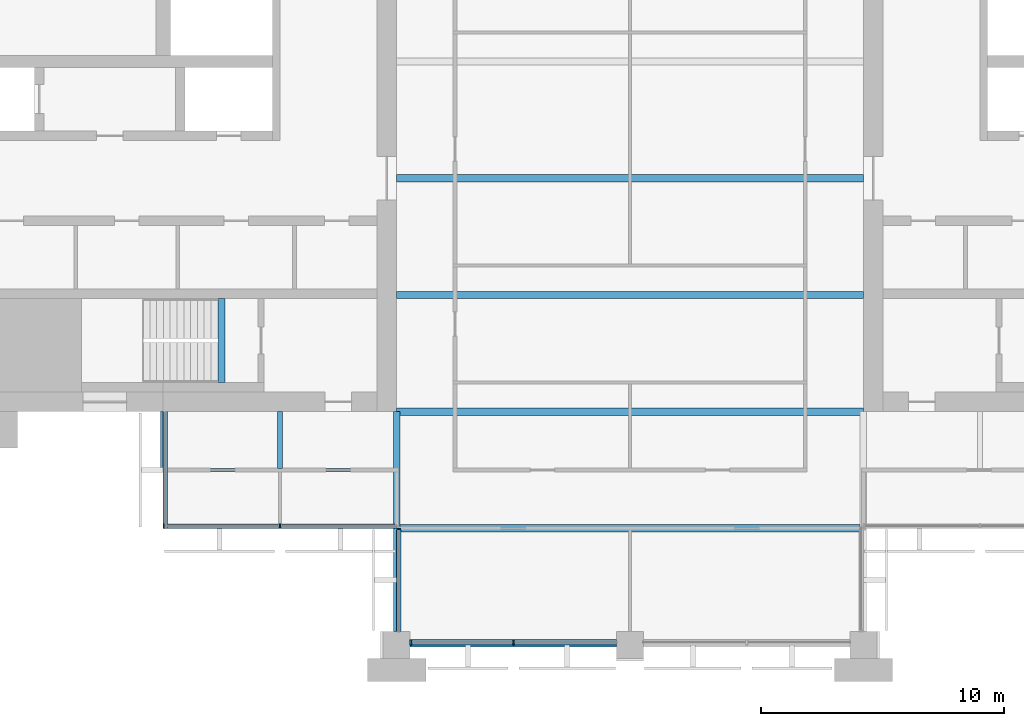
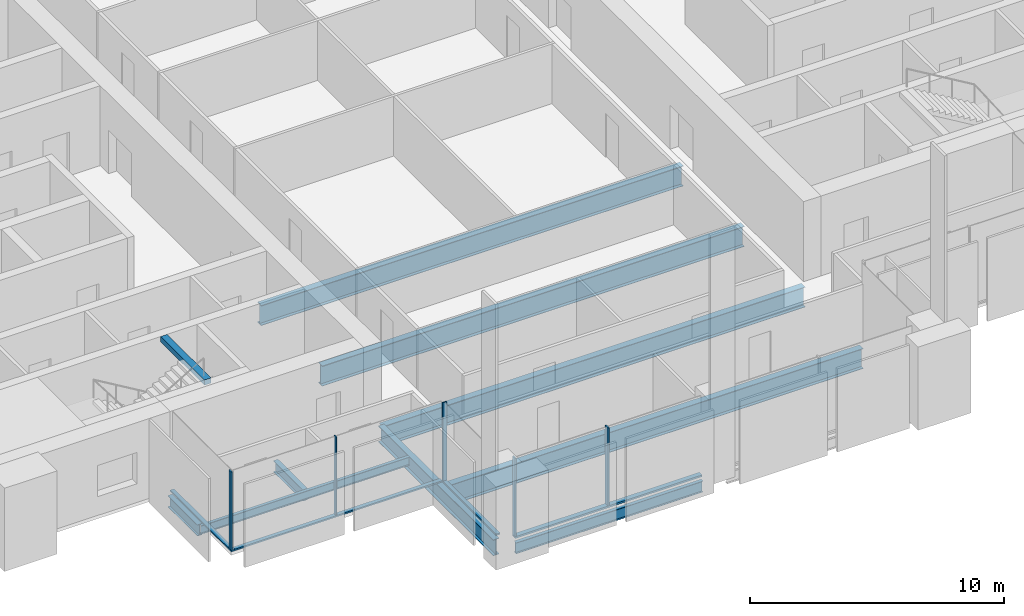
# One storey, part 2 of 13: 10 beams, 9 members, 4 elements without a shape of their own.
"""IFC4 building model written with IfcOpenShell, lengths in metres."""

from ifc_helpers import new_model, si_unit, direction, frame, origin, origin_2d, place, context, subcontext, project, spatial, rectangle, i_section, extrude, material, material_profile, profile_set, type_object, element, aggregate, save


model = new_model("IFC4")

# Units and contexts
model_context = context("Model", 3, precision=1e-05, world=origin(), true_north=direction((0.0, 1.0)))
body_context = subcontext(model_context, "Body", "Model", "MODEL_VIEW")
ifc_project = project(units=[si_unit("LENGTHUNIT", "METRE"), si_unit("AREAUNIT", "SQUARE_METRE"), si_unit("VOLUMEUNIT", "CUBIC_METRE"), si_unit("PLANEANGLEUNIT", "RADIAN"), si_unit("MASSUNIT", "GRAM", prefix="KILO")], contexts=[model_context])

# Site, building, storey
site_placement = place(None, origin())
site = spatial("IfcSite", under=ifc_project, at=site_placement, CompositionType="ELEMENT")
building_placement = place(site_placement, origin())
building = spatial("IfcBuilding", under=site, at=building_placement, Name="Baori Bourse Tower", CompositionType="ELEMENT")
storey_placement = place(building_placement, frame((0.0, 0.0, 201.199951171875)))
storey = spatial("IfcBuildingStorey", under=building, at=storey_placement, Name="L43", CompositionType="ELEMENT", Elevation=201.199951171875)

# Curtain wall, members
ifc_material_1 = material(Name="Pale anodised aluminium", Category="aluminium")
curtain_wall_type_1 = type_object("IfcCurtainWallType", Name="CW2 Curtain wall", PredefinedType="NOTDEFINED", material=ifc_material_1)
curtain_wall_1_placement = place(storey_placement, origin())
curtain_wall_1 = element("IfcCurtainWall", 1, at=curtain_wall_1_placement, inside=storey, type_object=curtain_wall_type_1, Name="Curtain wall CW2 L43 9", PredefinedType="NOTDEFINED")
ifc_material_2 = material(Name="Pale anodised aluminium", Category="aluminium")
ifc_material_profile_1 = material_profile(ifc_material_2, rectangle(XDim=0.179931640625, YDim=0.054931640625, at=origin_2d()), Name="Mullion 55x180")
ifc_profile_set_1 = profile_set([ifc_material_profile_1], Name="Pale anodised aluminium")
member_type_1 = type_object("IfcMemberType", Name="CW2 Curtain wall mullion", PredefinedType="MULLION", material=ifc_profile_set_1)
member_1_placement = place(storey_placement, frame((9.62744140625, 4.889892578125, 0.070068359375), z_axis=(0.0, 0.0, 1.0), x_axis=(0.0, 1.0, 0.0)))
member_1 = element("IfcMember", 2, at=member_1_placement, type_object=member_type_1, Name="Curtain wall CW2 mullion", PredefinedType="MULLION", context=body_context, shape_type="SweptSolid", body=[
    extrude(rectangle(XDim=0.179931640625, YDim=0.054931640625, at=origin_2d()), origin(), (0.0, 0.0, 1.0), 3.77001953125),
])
member_2_placement = place(storey_placement, frame((14.39990234375, 4.889892578125, 0.070068359375), z_axis=(0.0, 0.0, 1.0), x_axis=(0.0, 1.0, 0.0)))
member_2 = element("IfcMember", 3, at=member_2_placement, type_object=member_type_1, Name="Curtain wall CW2 mullion", PredefinedType="MULLION", context=body_context, shape_type="SweptSolid", body=[
    extrude(rectangle(XDim=0.179931640625, YDim=0.054931640625, at=origin_2d()), origin(), (0.0, 0.0, 1.0), 3.77001953125),
])

# Curtain wall, member
curtain_wall_2_placement = place(storey_placement, origin())
curtain_wall_2 = element("IfcCurtainWall", 4, at=curtain_wall_2_placement, inside=storey, type_object=curtain_wall_type_1, Name="Curtain wall CW2 L43 10", PredefinedType="NOTDEFINED")
member_3_placement = place(storey_placement, frame((19.2900390625, 4.7724609375, 0.070068359375), z_axis=(0.0, 0.0, 1.0), x_axis=(1.0, 0.0, 0.0)))
member_3 = element("IfcMember", 5, at=member_3_placement, type_object=member_type_1, Name="Curtain wall CW2 mullion", PredefinedType="MULLION", context=body_context, shape_type="SweptSolid", body=[
    extrude(rectangle(XDim=0.179931640625, YDim=0.054931640625, at=origin_2d()), origin(), (0.0, 0.0, 1.0), 3.77001953125),
])

curtain_wall_3_placement = place(storey_placement, origin())
curtain_wall_3 = element("IfcCurtainWall", 6, at=curtain_wall_3_placement, inside=storey, type_object=curtain_wall_type_1, Name="Curtain wall CW2 L43 8", PredefinedType="NOTDEFINED")
ifc_material_3 = material(Name="Pale anodised aluminium", Category="aluminium")
ifc_material_profile_2 = material_profile(ifc_material_3, rectangle(XDim=0.179931640625, YDim=0.070068359375, at=origin_2d()), Name="Transom 70x180")
ifc_profile_set_2 = profile_set([ifc_material_profile_2], Name="Pale anodised aluminium")
member_type_2 = type_object("IfcMemberType", Name="CW2 Curtain wall transom", PredefinedType="USERDEFINED", material=ifc_profile_set_2)
member_4_placement = place(storey_placement, frame((9.68994140625, 9.60009765625, 0.03515625), z_axis=(0.0, -1.0, 0.0), x_axis=(1.0, 0.0, 0.0)))
member_4 = element("IfcMember", 7, at=member_4_placement, type_object=member_type_2, Name="Curtain wall CW2 sill rail", ObjectType="TRANSOM", PredefinedType="USERDEFINED", context=body_context, shape_type="SweptSolid", body=[
    extrude(rectangle(XDim=0.179931640625, YDim=0.070068359375, at=origin_2d()), origin(), (0.0, 0.0, 1.0), 4.800048828125),
])
aggregate(curtain_wall_3, [member_4])

# Member
member_5_placement = place(storey_placement, frame((9.60009765625, 4.889892578125, 0.03515625), z_axis=(1.0, 0.0, 0.0), x_axis=(0.0, 1.0, 0.0)))
member_5 = element("IfcMember", 8, at=member_5_placement, type_object=member_type_2, Name="Curtain wall CW2 sill rail", ObjectType="TRANSOM", PredefinedType="USERDEFINED", context=body_context, shape_type="SweptSolid", body=[
    extrude(rectangle(XDim=0.179931640625, YDim=0.070068359375, at=origin_2d()), origin(), (0.0, 0.0, 1.0), 9.599853515625),
])

aggregate(curtain_wall_1, [member_5, member_1, member_2])

member_6_placement = place(storey_placement, frame((19.2900390625, 4.800048828125, 0.03515625), z_axis=(0.0, -1.0, 0.0), x_axis=(1.0, 0.0, 0.0)))
member_6 = element("IfcMember", 9, at=member_6_placement, type_object=member_type_2, Name="Curtain wall CW2 sill rail", ObjectType="TRANSOM", PredefinedType="USERDEFINED", context=body_context, shape_type="SweptSolid", body=[
    extrude(rectangle(XDim=0.179931640625, YDim=0.070068359375, at=origin_2d()), origin(), (0.0, 0.0, 1.0), 4.25),
])

aggregate(curtain_wall_2, [member_6, member_3])

# Curtain wall, members
ifc_material_4 = material(Name="Pale anodised aluminium", Category="aluminium")
curtain_wall_type_2 = type_object("IfcCurtainWallType", Name="CW5 Curtain wall", PredefinedType="NOTDEFINED", material=ifc_material_4)
curtain_wall_4_placement = place(storey_placement, origin())
curtain_wall_4 = element("IfcCurtainWall", 10, at=curtain_wall_4_placement, inside=storey, type_object=curtain_wall_type_2, Name="Curtain wall CW5 L43 11", PredefinedType="NOTDEFINED")
ifc_material_5 = material(Name="Pale anodised aluminium", Category="aluminium")
ifc_material_profile_3 = material_profile(ifc_material_5, rectangle(XDim=0.219970703125, YDim=0.06494140625, at=origin_2d()), Name="Mullion 65x220")
ifc_profile_set_3 = profile_set([ifc_material_profile_3], Name="Pale anodised aluminium")
member_type_3 = type_object("IfcMemberType", Name="CW5 Curtain wall mullion", PredefinedType="MULLION", material=ifc_profile_set_3)
member_7_placement = place(storey_placement, frame((19.782470703125, 0.110107421875, 0.0849609375), z_axis=(0.0, 0.0, 1.0), x_axis=(0.0, 1.0, 0.0)))
member_7 = element("IfcMember", 11, at=member_7_placement, type_object=member_type_3, Name="Curtain wall CW5 mullion", PredefinedType="MULLION", context=body_context, shape_type="SweptSolid", body=[
    extrude(rectangle(XDim=0.219970703125, YDim=0.06494140625, at=origin_2d()), origin(), (0.0, 0.0, 1.0), 3.755126953125),
])
member_8_placement = place(storey_placement, frame((24.0, 0.110107421875, 0.0849609375), z_axis=(0.0, 0.0, 1.0), x_axis=(0.0, 1.0, 0.0)))
member_8 = element("IfcMember", 12, at=member_8_placement, type_object=member_type_3, Name="Curtain wall CW5 mullion", PredefinedType="MULLION", context=body_context, shape_type="SweptSolid", body=[
    extrude(rectangle(XDim=0.219970703125, YDim=0.06494140625, at=origin_2d()), origin(), (0.0, 0.0, 1.0), 3.755126953125),
])
ifc_material_6 = material(Name="Pale anodised aluminium", Category="aluminium")
ifc_material_profile_4 = material_profile(ifc_material_6, rectangle(XDim=0.219970703125, YDim=0.0849609375, at=origin_2d()), Name="Transom 85x220")
ifc_profile_set_4 = profile_set([ifc_material_profile_4], Name="Pale anodised aluminium")
member_type_4 = type_object("IfcMemberType", Name="CW5 Curtain wall transom", PredefinedType="USERDEFINED", material=ifc_profile_set_4)
member_9_placement = place(storey_placement, frame((19.75, 0.110107421875, 0.04248046875), z_axis=(1.0, 0.0, 0.0), x_axis=(0.0, 1.0, 0.0)))
member_9 = element("IfcMember", 13, at=member_9_placement, type_object=member_type_4, Name="Curtain wall CW5 sill rail", ObjectType="TRANSOM", PredefinedType="USERDEFINED", context=body_context, shape_type="SweptSolid", body=[
    extrude(rectangle(XDim=0.219970703125, YDim=0.0849609375, at=origin_2d()), origin(), (0.0, 0.0, 1.0), 8.5),
])
aggregate(curtain_wall_4, [member_9, member_7, member_8])

# Beams
ifc_material_7 = material(Name="Steel A992 Gr 50", Category="steel")
ifc_material_profile_5 = material_profile(ifc_material_7, i_section(OverallWidth=0.21240234375, OverallDepth=0.54345703125, WebThickness=0.01318359375, FlangeThickness=0.021240234375, at=origin_2d()), Name="W21x83")
ifc_profile_set_5 = profile_set([ifc_material_profile_5], Name="Steel A992 Gr 50")
beam_type_1 = type_object("IfcBeamType", Name="Core bracket W21x83", PredefinedType="BEAM", material=ifc_profile_set_5)
for number, where, z_axis, x_axis, name in (
    (14, (9.60009765625, 7.270263671875, -0.431640625), (0.0, 1.0, 0.0), (-1.0, 0.0, 0.0), "Core bracket L43"),
    (15, (14.39990234375, 7.270263671875, -0.431640625), (0.0, 1.0, 0.0), (-1.0, 0.0, 0.0), "Core bracket L43"),
):
    element("IfcBeam", number, at=place(storey_placement, frame(where, z_axis=z_axis, x_axis=x_axis)), inside=storey, type_object=beam_type_1, Name=name, PredefinedType="BEAM", context=body_context, shape_type="SweptSolid", body=[
        extrude(i_section(OverallWidth=0.21240234375, OverallDepth=0.54345703125, WebThickness=0.01318359375, FlangeThickness=0.021240234375, at=origin_2d()), origin(), (0.0, 0.0, 1.0), 2.329833984375),
    ])
ifc_material_8 = material(Name="Steel A992 Gr 50", Category="steel")
ifc_material_profile_6 = material_profile(ifc_material_8, i_section(OverallWidth=0.1650390625, OverallDepth=0.52587890625, WebThickness=0.0087890625, FlangeThickness=0.011474609375, at=origin_2d()), Name="W21x44")
ifc_profile_set_6 = profile_set([ifc_material_profile_6], Name="Steel A992 Gr 50")
beam_type_2 = type_object("IfcBeamType", Name="Edge beam W21x44", PredefinedType="BEAM", material=ifc_profile_set_6)
beam_1_placement = place(storey_placement, frame((19.75, 0.0, -0.4228515625), z_axis=(1.0, 0.0, 0.0), x_axis=(0.0, 1.0, 0.0)))
element("IfcBeam", 16, at=beam_1_placement, inside=storey, type_object=beam_type_2, Name="Edge beam L43", PredefinedType="BEAM", context=body_context, shape_type="SweptSolid", body=[
    extrude(i_section(OverallWidth=0.1650390625, OverallDepth=0.52587890625, WebThickness=0.0087890625, FlangeThickness=0.011474609375, at=origin_2d()), origin(), (0.0, 0.0, 1.0), 8.5),
])
ifc_material_9 = material(Name="Steel A992 Gr 50", Category="steel")
ifc_material_profile_7 = material_profile(ifc_material_9, i_section(OverallWidth=0.2998046875, OverallDepth=0.97021484375, WebThickness=0.01611328125, FlangeThickness=0.02099609375, at=origin_2d()), Name="W40x149")
ifc_profile_set_7 = profile_set([ifc_material_profile_7], Name="Steel A992 Gr 50")
beam_type_3 = type_object("IfcBeamType", Name="Floor beam W40x149", PredefinedType="BEAM", material=ifc_profile_set_7)
beam_2_placement = place(storey_placement, frame((19.333251953125, 4.800048828125, -0.64501953125), z_axis=(1.0, 0.0, 0.0), x_axis=(0.0, 1.0, 0.0)))
element("IfcBeam", 17, at=beam_2_placement, inside=storey, type_object=beam_type_3, Name="Floor beam L43", PredefinedType="BEAM", context=body_context, shape_type="SweptSolid", body=[
    extrude(i_section(OverallWidth=0.2998046875, OverallDepth=0.97021484375, WebThickness=0.01611328125, FlangeThickness=0.02099609375, at=origin_2d()), origin(), (0.0, 0.0, 1.0), 18.933349609375),
])
for number, where, z_axis, x_axis, name in (
    (18, (19.199951171875, 9.60009765625, -0.64501953125), (1.0, 0.0, 0.0), (0.0, 1.0, 0.0), "Floor beam L43"),
    (19, (19.199951171875, 14.39990234375, -0.64501953125), (1.0, 0.0, 0.0), (0.0, 1.0, 0.0), "Floor beam L43"),
    (20, (19.199951171875, 19.199951171875, -0.64501953125), (1.0, 0.0, 0.0), (0.0, 1.0, 0.0), "Floor beam L43"),
):
    element("IfcBeam", number, at=place(storey_placement, frame(where, z_axis=z_axis, x_axis=x_axis)), inside=storey, type_object=beam_type_3, Name=name, PredefinedType="BEAM", context=body_context, shape_type="SweptSolid", body=[
        extrude(i_section(OverallWidth=0.2998046875, OverallDepth=0.97021484375, WebThickness=0.01611328125, FlangeThickness=0.02099609375, at=origin_2d()), origin(), (0.0, 0.0, 1.0), 19.199951171875),
    ])
ifc_material_10 = material(Name="Steel A992 Gr 50", Category="steel")
ifc_material_profile_8 = material_profile(ifc_material_10, i_section(OverallWidth=0.2666015625, OverallDepth=0.76953125, WebThickness=0.015625, FlangeThickness=0.025390625, at=origin_2d()), Name="W30x132")
ifc_profile_set_8 = profile_set([ifc_material_profile_8], Name="Steel A992 Gr 50")
beam_type_4 = type_object("IfcBeamType", Name="Girder W30x132", PredefinedType="BEAM", material=ifc_profile_set_8)
beam_3_placement = place(storey_placement, frame((19.199951171875, 0.550048828125, -0.544677734375), z_axis=(0.0, 1.0, 0.0), x_axis=(-1.0, 0.0, 0.0)))
element("IfcBeam", 21, at=beam_3_placement, inside=storey, type_object=beam_type_4, Name="Girder L43", PredefinedType="BEAM", context=body_context, shape_type="SweptSolid", body=[
    extrude(i_section(OverallWidth=0.2666015625, OverallDepth=0.76953125, WebThickness=0.015625, FlangeThickness=0.025390625, at=origin_2d()), origin(), (0.0, 0.0, 1.0), 9.050048828125),
])
ifc_material_11 = material(Name="Concrete f'c 50 MPa", Category="concrete")
ifc_material_profile_9 = material_profile(ifc_material_11, rectangle(XDim=0.300048828125, YDim=0.25, at=origin_2d()), Name="RC 300x250")
ifc_profile_set_9 = profile_set([ifc_material_profile_9], Name="Concrete f'c 50 MPa")
beam_type_5 = type_object("IfcBeamType", Name="Stair nib beam RC 300x250", PredefinedType="BEAM", material=ifc_profile_set_9)
beam_4_placement = place(storey_placement, frame((12.0, 10.800048828125, 3.715087890625), z_axis=(0.0, 1.0, 0.0), x_axis=(-1.0, 0.0, 0.0)))
element("IfcBeam", 22, at=beam_4_placement, inside=storey, type_object=beam_type_5, Name="Stair WA nib beam L44", PredefinedType="BEAM", context=body_context, shape_type="SweptSolid", body=[
    extrude(rectangle(XDim=0.300048828125, YDim=0.25, at=origin_2d()), origin(), (0.0, 0.0, 1.0), 3.449951171875),
])
ifc_material_12 = material(Name="Steel A992 Gr 50", Category="steel")
ifc_material_profile_10 = material_profile(ifc_material_12, i_section(OverallWidth=0.140380859375, OverallDepth=0.40380859375, WebThickness=0.007080078125, FlangeThickness=0.01123046875, at=origin_2d()), Name="W16x31")
ifc_profile_set_10 = profile_set([ifc_material_profile_10], Name="Steel A992 Gr 50")
beam_type_6 = type_object("IfcBeamType", Name="Trimmer beam W16x31", PredefinedType="BEAM", material=ifc_profile_set_10)
beam_5_placement = place(storey_placement, frame((9.60009765625, 7.199951171875, -0.36181640625), z_axis=(1.0, 0.0, 0.0), x_axis=(0.0, 1.0, 0.0)))
element("IfcBeam", 23, at=beam_5_placement, inside=storey, type_object=beam_type_6, Name="Trimmer beam L43", PredefinedType="BEAM", context=body_context, shape_type="SweptSolid", body=[
    extrude(i_section(OverallWidth=0.140380859375, OverallDepth=0.40380859375, WebThickness=0.007080078125, FlangeThickness=0.01123046875, at=origin_2d()), origin(), (0.0, 0.0, 1.0), 9.466552734375),
])

save(model, "model.ifc")
